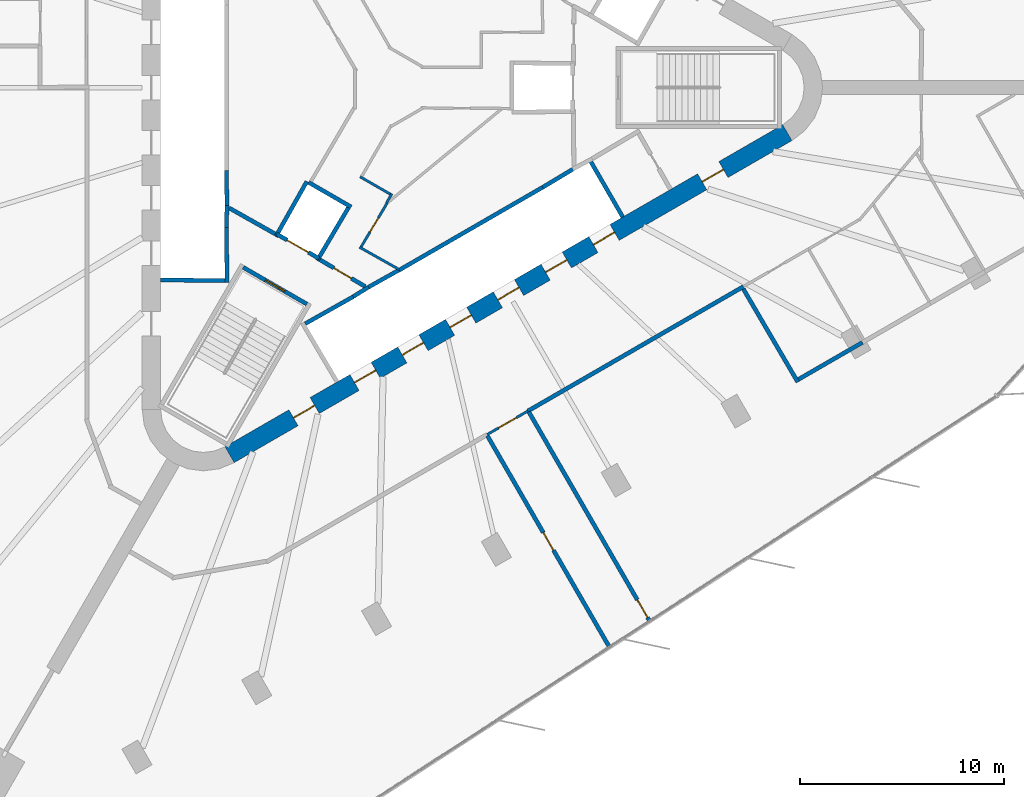
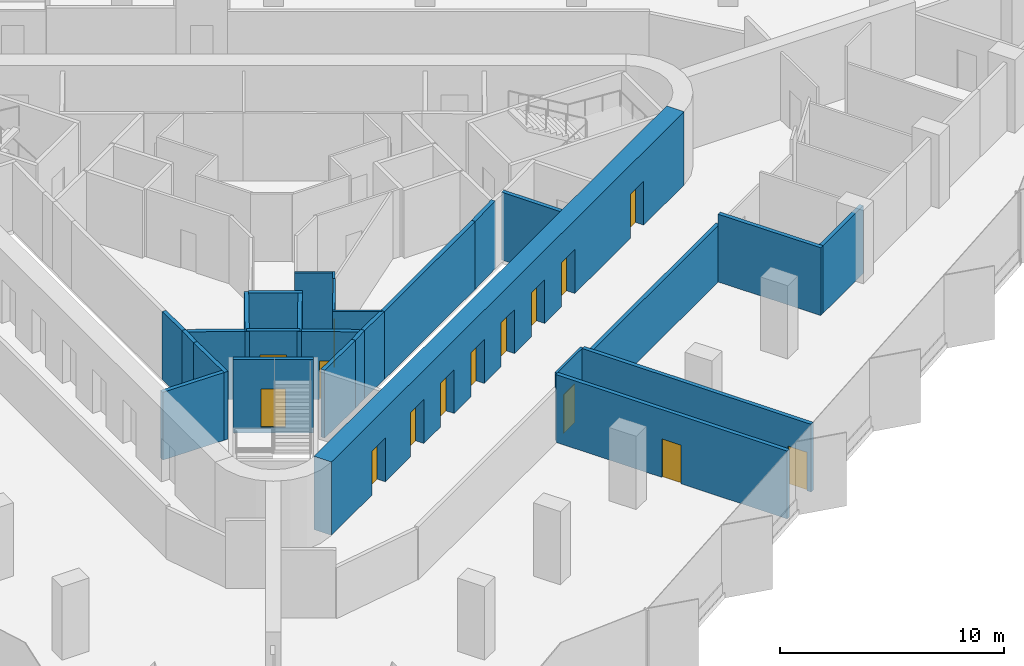
# One storey, part 8 of 14: 28 walls, 15 doors, 15 openings.
"""IFC4 building model written with IfcOpenShell, lengths in metres."""

from ifc_helpers import new_model, si_unit, direction, frame, frame_2d, origin, place, context, subcontext, project, spatial, rectangle, extrude, material, layer, layer_set, type_object, element, fill, save


model = new_model("IFC4")

# Units and contexts
model_context = context("Model", 3, precision=1e-05, world=origin(), true_north=direction((0.0, 1.0)))
body_context = subcontext(model_context, "Body", "Model", "MODEL_VIEW")
ifc_project = project(units=[si_unit("LENGTHUNIT", "METRE"), si_unit("AREAUNIT", "SQUARE_METRE"), si_unit("VOLUMEUNIT", "CUBIC_METRE"), si_unit("PLANEANGLEUNIT", "RADIAN"), si_unit("MASSUNIT", "GRAM", prefix="KILO")], contexts=[model_context])

# Site, building, storey
site_placement = place(None, origin())
site = spatial("IfcSite", under=ifc_project, at=site_placement, CompositionType="ELEMENT")
building_placement = place(site_placement, origin())
building = spatial("IfcBuilding", under=site, at=building_placement, Name="Tanit Gate Tower", CompositionType="ELEMENT")
storey_placement = place(building_placement, frame((0.0, 0.0, 205.199951171875)))
storey = spatial("IfcBuildingStorey", under=building, at=storey_placement, Name="L45", CompositionType="ELEMENT", Elevation=205.199951171875)

# Wall, openings, doors
ifc_material_1 = material(Name="Concrete C50/60", Category="concrete")
ifc_layer_1 = layer(ifc_material_1, 0.89990234375)
ifc_layer_set_1 = layer_set([ifc_layer_1], Name="CORE WALL 900 C50/60")
wall_type_1 = type_object("IfcWallType", Name="CORE WALL 900 C50/60", PredefinedType="SHEAR", material=ifc_layer_set_1)
wall_1_placement = place(storey_placement, frame((-7.824951171875, -17.969970703125, 0.0), z_axis=(0.0, 0.0, 1.0), x_axis=(0.866028369851, 0.499994862586, 0.0)))
wall_1 = element("IfcWall", 1, at=wall_1_placement, inside=storey, type_object=wall_type_1, Name="CORE WALL", PredefinedType="SHEAR", context=body_context, shape_type="SweptSolid", body=[
    extrude(rectangle(XDim=31.523193359375, YDim=0.89990234375, at=frame_2d((15.76171875, 0.0))), origin(), (0.0, 0.0, 1.0), 4.0),
])
opening_1_placement = place(wall_1_placement, frame((7.061767578125, 0.0, 0.0)))
opening_1 = element("IfcOpeningElement", 2, at=opening_1_placement, cuts=wall_1, Name="Opening LDSX1-S12", PredefinedType="OPENING", context=body_context, shape_type="SweptSolid", body=[
    extrude(rectangle(XDim=1.199951171875, YDim=2.39990234375, at=frame_2d((0.60009765625, 1.199951171875))), frame((0.0, 0.4599609375, 0.0), z_axis=(0.0, -1.0, 0.0), x_axis=(1.0, 0.0, 0.0)), (0.0, 0.0, 1.0), 0.919921875),
])
opening_2_placement = place(wall_1_placement, frame((9.76171875, 0.0, 0.0)))
opening_2 = element("IfcOpeningElement", 3, at=opening_2_placement, cuts=wall_1, Name="Opening LDSX2-S12", PredefinedType="OPENING", context=body_context, shape_type="SweptSolid", body=[
    extrude(rectangle(XDim=1.199951171875, YDim=2.39990234375, at=frame_2d((0.60009765625, 1.199951171875))), frame((0.0, 0.4599609375, 0.0), z_axis=(0.0, -1.0, 0.0), x_axis=(1.0, 0.0, 0.0)), (0.0, 0.0, 1.0), 0.919921875),
])
opening_3_placement = place(wall_1_placement, frame((12.461669921875, 0.0, 0.0)))
opening_3 = element("IfcOpeningElement", 4, at=opening_3_placement, cuts=wall_1, Name="Opening LDSX3-S12", PredefinedType="OPENING", context=body_context, shape_type="SweptSolid", body=[
    extrude(rectangle(XDim=1.199951171875, YDim=2.39990234375, at=frame_2d((0.60009765625, 1.199951171875))), frame((0.0, 0.4599609375, 0.0), z_axis=(0.0, -1.0, 0.0), x_axis=(1.0, 0.0, 0.0)), (0.0, 0.0, 1.0), 0.919921875),
])
opening_4_placement = place(wall_1_placement, frame((15.16162109375, 0.0, 0.0)))
opening_4 = element("IfcOpeningElement", 5, at=opening_4_placement, cuts=wall_1, Name="Opening LDSX4-S12", PredefinedType="OPENING", context=body_context, shape_type="SweptSolid", body=[
    extrude(rectangle(XDim=1.199951171875, YDim=2.39990234375, at=frame_2d((0.60009765625, 1.199951171875))), frame((0.0, 0.4599609375, 0.0), z_axis=(0.0, -1.0, 0.0), x_axis=(1.0, 0.0, 0.0)), (0.0, 0.0, 1.0), 0.919921875),
])
opening_5_placement = place(wall_1_placement, frame((17.861572265625, 0.0, 0.0)))
opening_5 = element("IfcOpeningElement", 6, at=opening_5_placement, cuts=wall_1, Name="Opening LDSV1-S12", PredefinedType="OPENING", context=body_context, shape_type="SweptSolid", body=[
    extrude(rectangle(XDim=1.199951171875, YDim=2.39990234375, at=frame_2d((0.60009765625, 1.199951171875))), frame((0.0, 0.4599609375, 0.0), z_axis=(0.0, -1.0, 0.0), x_axis=(1.0, 0.0, 0.0)), (0.0, 0.0, 1.0), 0.919921875),
])
opening_6_placement = place(wall_1_placement, frame((20.561767578125, 0.0, 0.0)))
opening_6 = element("IfcOpeningElement", 7, at=opening_6_placement, cuts=wall_1, Name="Opening LDSV2-S12", PredefinedType="OPENING", context=body_context, shape_type="SweptSolid", body=[
    extrude(rectangle(XDim=1.199951171875, YDim=2.39990234375, at=frame_2d((0.60009765625, 1.199951171875))), frame((0.0, 0.4599609375, 0.0), z_axis=(0.0, -1.0, 0.0), x_axis=(1.0, 0.0, 0.0)), (0.0, 0.0, 1.0), 0.919921875),
])
opening_7_placement = place(wall_1_placement, frame((26.711669921875, 0.0, 0.0)))
opening_7 = element("IfcOpeningElement", 8, at=opening_7_placement, cuts=wall_1, Name="Opening F12-S12-S1", PredefinedType="OPENING", context=body_context, shape_type="SweptSolid", body=[
    extrude(rectangle(XDim=1.199951171875, YDim=2.39990234375, at=frame_2d((0.60009765625, 1.199951171875))), frame((0.0, 0.4599609375, 0.0), z_axis=(0.0, -1.0, 0.0), x_axis=(1.0, 0.0, 0.0)), (0.0, 0.0, 1.0), 0.919921875),
])
opening_8_placement = place(wall_1_placement, frame((3.611572265625, 0.0, 0.0)))
opening_8 = element("IfcOpeningElement", 9, at=opening_8_placement, cuts=wall_1, Name="Opening F12-S12-FL3", PredefinedType="OPENING", context=body_context, shape_type="SweptSolid", body=[
    extrude(rectangle(XDim=1.199951171875, YDim=2.39990234375, at=frame_2d((0.60009765625, 1.199951171875))), frame((0.0, 0.4599609375, 0.0), z_axis=(0.0, -1.0, 0.0), x_axis=(1.0, 0.0, 0.0)), (0.0, 0.0, 1.0), 0.919921875),
])
ifc_material_2 = material(Name="Fire-rated steel door leaf", Category="steel")
door_type_1 = type_object("IfcDoorType", Name="INT-DOOR-FIRE-LOBBY-1200", OperationType="NOTDEFINED", PredefinedType="USERDEFINED", material=ifc_material_2)
door_1_placement = place(opening_7_placement, origin())
door_1 = element("IfcDoor", 10, at=door_1_placement, inside=storey, type_object=door_type_1, Name="Door F12-S12-S1", ObjectType="FIRE DOOR", OperationType="SINGLE_SWING_RIGHT", OverallHeight=2.39990234375, OverallWidth=1.199951171875, PredefinedType="USERDEFINED", context=body_context, shape_type="SweptSolid", body=[
    extrude(rectangle(XDim=1.199951171875, YDim=2.39990234375, at=frame_2d((0.60009765625, 1.199951171875))), frame((0.0, 0.02490234375, 0.0), z_axis=(0.0, -1.0, 0.0), x_axis=(1.0, 0.0, 0.0)), (0.0, 0.0, 1.0), 0.050048828125),
])
fill(opening_7, door_1)
door_2_placement = place(opening_8_placement, origin())
door_2 = element("IfcDoor", 11, at=door_2_placement, inside=storey, type_object=door_type_1, Name="Door F12-S12-FL3", ObjectType="FIRE DOOR", OperationType="SINGLE_SWING_LEFT", OverallHeight=2.39990234375, OverallWidth=1.199951171875, PredefinedType="USERDEFINED", context=body_context, shape_type="SweptSolid", body=[
    extrude(rectangle(XDim=1.199951171875, YDim=2.39990234375, at=frame_2d((0.60009765625, 1.199951171875))), frame((0.0, 0.02490234375, 0.0), z_axis=(0.0, -1.0, 0.0), x_axis=(1.0, 0.0, 0.0)), (0.0, 0.0, 1.0), 0.050048828125),
])
fill(opening_8, door_2)
ifc_material_3 = material(Name="Stainless steel sliding door leaf", Category="steel")
door_type_2 = type_object("IfcDoorType", Name="INT-DOOR-LANDING-1200", OperationType="NOTDEFINED", PredefinedType="USERDEFINED", material=ifc_material_3)
door_3_placement = place(opening_1_placement, origin())
door_3 = element("IfcDoor", 12, at=door_3_placement, inside=storey, type_object=door_type_2, Name="Door LDSX1-S12", ObjectType="LANDING DOOR", OperationType="SLIDING_TO_LEFT", OverallHeight=2.39990234375, OverallWidth=1.199951171875, PredefinedType="USERDEFINED", context=body_context, shape_type="SweptSolid", body=[
    extrude(rectangle(XDim=1.199951171875, YDim=2.39990234375, at=frame_2d((0.60009765625, 1.199951171875))), frame((0.0, 0.02490234375, 0.0), z_axis=(0.0, -1.0, 0.0), x_axis=(1.0, 0.0, 0.0)), (0.0, 0.0, 1.0), 0.050048828125),
])
fill(opening_1, door_3)
door_4_placement = place(opening_2_placement, origin())
door_4 = element("IfcDoor", 13, at=door_4_placement, inside=storey, type_object=door_type_2, Name="Door LDSX2-S12", ObjectType="LANDING DOOR", OperationType="SLIDING_TO_LEFT", OverallHeight=2.39990234375, OverallWidth=1.199951171875, PredefinedType="USERDEFINED", context=body_context, shape_type="SweptSolid", body=[
    extrude(rectangle(XDim=1.199951171875, YDim=2.39990234375, at=frame_2d((0.60009765625, 1.199951171875))), frame((0.0, 0.02490234375, 0.0), z_axis=(0.0, -1.0, 0.0), x_axis=(1.0, 0.0, 0.0)), (0.0, 0.0, 1.0), 0.050048828125),
])
fill(opening_2, door_4)
door_5_placement = place(opening_3_placement, origin())
door_5 = element("IfcDoor", 14, at=door_5_placement, inside=storey, type_object=door_type_2, Name="Door LDSX3-S12", ObjectType="LANDING DOOR", OperationType="SLIDING_TO_LEFT", OverallHeight=2.39990234375, OverallWidth=1.199951171875, PredefinedType="USERDEFINED", context=body_context, shape_type="SweptSolid", body=[
    extrude(rectangle(XDim=1.199951171875, YDim=2.39990234375, at=frame_2d((0.60009765625, 1.199951171875))), frame((0.0, 0.02490234375, 0.0), z_axis=(0.0, -1.0, 0.0), x_axis=(1.0, 0.0, 0.0)), (0.0, 0.0, 1.0), 0.050048828125),
])
fill(opening_3, door_5)
door_6_placement = place(opening_4_placement, origin())
door_6 = element("IfcDoor", 15, at=door_6_placement, inside=storey, type_object=door_type_2, Name="Door LDSX4-S12", ObjectType="LANDING DOOR", OperationType="SLIDING_TO_LEFT", OverallHeight=2.39990234375, OverallWidth=1.199951171875, PredefinedType="USERDEFINED", context=body_context, shape_type="SweptSolid", body=[
    extrude(rectangle(XDim=1.199951171875, YDim=2.39990234375, at=frame_2d((0.60009765625, 1.199951171875))), frame((0.0, 0.02490234375, 0.0), z_axis=(0.0, -1.0, 0.0), x_axis=(1.0, 0.0, 0.0)), (0.0, 0.0, 1.0), 0.050048828125),
])
fill(opening_4, door_6)
door_7_placement = place(opening_5_placement, origin())
door_7 = element("IfcDoor", 16, at=door_7_placement, inside=storey, type_object=door_type_2, Name="Door LDSV1-S12", ObjectType="LANDING DOOR", OperationType="SLIDING_TO_LEFT", OverallHeight=2.39990234375, OverallWidth=1.199951171875, PredefinedType="USERDEFINED", context=body_context, shape_type="SweptSolid", body=[
    extrude(rectangle(XDim=1.199951171875, YDim=2.39990234375, at=frame_2d((0.60009765625, 1.199951171875))), frame((0.0, 0.02490234375, 0.0), z_axis=(0.0, -1.0, 0.0), x_axis=(1.0, 0.0, 0.0)), (0.0, 0.0, 1.0), 0.050048828125),
])
fill(opening_5, door_7)
door_8_placement = place(opening_6_placement, origin())
door_8 = element("IfcDoor", 17, at=door_8_placement, inside=storey, type_object=door_type_2, Name="Door LDSV2-S12", ObjectType="LANDING DOOR", OperationType="SLIDING_TO_LEFT", OverallHeight=2.39990234375, OverallWidth=1.199951171875, PredefinedType="USERDEFINED", context=body_context, shape_type="SweptSolid", body=[
    extrude(rectangle(XDim=1.199951171875, YDim=2.39990234375, at=frame_2d((0.60009765625, 1.199951171875))), frame((0.0, 0.02490234375, 0.0), z_axis=(0.0, -1.0, 0.0), x_axis=(1.0, 0.0, 0.0)), (0.0, 0.0, 1.0), 0.050048828125),
])
fill(opening_6, door_8)

# Wall
ifc_material_4 = material(Name="Fire-rated gypsum board partition")
ifc_layer_2 = layer(ifc_material_4, 0.199951171875)
ifc_layer_set_2 = layer_set([ifc_layer_2], Name="INT-WALL-COMPARTMENT")
wall_type_2 = type_object("IfcWallType", Name="INT-WALL-COMPARTMENT", PredefinedType="PARTITIONING", material=ifc_layer_set_2)
wall_2_placement = place(storey_placement, frame((-7.84912109375, -5.893798828125, 0.0), z_axis=(0.0, 0.0, 1.0), x_axis=(0.871340486379, -0.490678873396, 0.0)))
element("IfcWall", 18, at=wall_2_placement, inside=storey, type_object=wall_type_2, Name="Wall Compartment W063", PredefinedType="PARTITIONING", context=body_context, shape_type="SweptSolid", body=[
    extrude(rectangle(XDim=2.580810546875, YDim=0.199951171875, at=frame_2d((1.29052734375, 0.0))), origin(), (0.0, 0.0, 1.0), 3.699951171875),
])

# Wall, opening, door
wall_3_placement = place(storey_placement, frame((-3.400634765625, -8.43017578125, 0.0), z_axis=(0.0, 0.0, 1.0), x_axis=(0.860598681535, -0.509283721849, 0.0)))
wall_3 = element("IfcWall", 19, at=wall_3_placement, inside=storey, type_object=wall_type_2, Name="Wall Compartment W064", PredefinedType="PARTITIONING", context=body_context, shape_type="SweptSolid", body=[
    extrude(rectangle(XDim=2.5810546875, YDim=0.199951171875, at=frame_2d((1.29052734375, 0.0))), origin(), (0.0, 0.0, 1.0), 3.699951171875),
])
opening_9_placement = place(wall_3_placement, frame((0.79052734375, 0.0, 0.0)))
opening_9 = element("IfcOpeningElement", 20, at=opening_9_placement, cuts=wall_3, Name="Opening F10-S12-08", PredefinedType="OPENING", context=body_context, shape_type="SweptSolid", body=[
    extrude(rectangle(XDim=1.0, YDim=2.10009765625, at=frame_2d((0.5, 1.050048828125))), frame((0.0, 0.10986328125, 0.0), z_axis=(0.0, -1.0, 0.0), x_axis=(1.0, 0.0, 0.0)), (0.0, 0.0, 1.0), 0.219970703125),
])
ifc_material_5 = material(Name="Fire-rated steel door leaf", Category="steel")
door_type_3 = type_object("IfcDoorType", Name="INT-DOOR-FIRE-1000", OperationType="NOTDEFINED", PredefinedType="USERDEFINED", material=ifc_material_5)
door_9_placement = place(opening_9_placement, origin())
door_9 = element("IfcDoor", 21, at=door_9_placement, inside=storey, type_object=door_type_3, Name="Door F10-S12-08", ObjectType="FIRE DOOR", OperationType="SINGLE_SWING_LEFT", OverallHeight=2.10009765625, OverallWidth=1.0, PredefinedType="USERDEFINED", context=body_context, shape_type="SweptSolid", body=[
    extrude(rectangle(XDim=1.0, YDim=2.10009765625, at=frame_2d((0.5, 1.050048828125))), frame((0.0, 0.02490234375, 0.0), z_axis=(0.0, -1.0, 0.0), x_axis=(1.0, 0.0, 0.0)), (0.0, 0.0, 1.0), 0.050048828125),
])
fill(opening_9, door_9)

# Wall
wall_4_placement = place(storey_placement, frame((6.774658203125, -15.833984375, 0.0), z_axis=(0.0, 0.0, 1.0), x_axis=(0.86602903513, 0.499993710272, 0.0)))
element("IfcWall", 22, at=wall_4_placement, inside=storey, type_object=wall_type_2, Name="Wall Compartment W110", PredefinedType="PARTITIONING", context=body_context, shape_type="SweptSolid", body=[
    extrude(rectangle(XDim=12.179931640625, YDim=0.199951171875, at=frame_2d((6.08984375, 0.0))), origin(), (0.0, 0.0, 1.0), 3.070068359375),
])

# Wall, opening, door
wall_5_placement = place(storey_placement, frame((12.731201171875, -26.111083984375, 0.0), z_axis=(0.0, 0.0, 1.0), x_axis=(-0.499996044039, 0.866027687748, 0.0)))
wall_5 = element("IfcWall", 23, at=wall_5_placement, inside=storey, type_object=wall_type_2, Name="Wall Compartment W136", PredefinedType="PARTITIONING", context=body_context, shape_type="SweptSolid", body=[
    extrude(rectangle(XDim=11.818359375, YDim=0.199951171875, at=frame_2d((5.9091796875, 0.0))), origin(), (0.0, 0.0, 1.0), 3.699951171875),
])
opening_10_placement = place(wall_5_placement, frame((0.199951171875, 0.0, 0.0)))
opening_10 = element("IfcOpeningElement", 24, at=opening_10_placement, cuts=wall_5, Name="Opening F10-S12-34", PredefinedType="OPENING", context=body_context, shape_type="SweptSolid", body=[
    extrude(rectangle(XDim=1.0, YDim=2.10009765625, at=frame_2d((0.5, 1.050048828125))), frame((0.0, 0.10986328125, 0.0), z_axis=(0.0, -1.0, 0.0), x_axis=(1.0, 0.0, 0.0)), (0.0, 0.0, 1.0), 0.219970703125),
])
door_10_placement = place(opening_10_placement, origin())
door_10 = element("IfcDoor", 25, at=door_10_placement, inside=storey, type_object=door_type_3, Name="Door F10-S12-34", ObjectType="FIRE DOOR", OperationType="SINGLE_SWING_LEFT", OverallHeight=2.10009765625, OverallWidth=1.0, PredefinedType="USERDEFINED", context=body_context, shape_type="SweptSolid", body=[
    extrude(rectangle(XDim=1.0, YDim=2.10009765625, at=frame_2d((0.5, 1.050048828125))), frame((0.0, 0.02490234375, 0.0), z_axis=(0.0, -1.0, 0.0), x_axis=(1.0, 0.0, 0.0)), (0.0, 0.0, 1.0), 0.050048828125),
])
fill(opening_10, door_10)

wall_6_placement = place(storey_placement, frame((4.79541015625, -17.0458984375, 0.0), z_axis=(0.0, 0.0, 1.0), x_axis=(0.500005050573, -0.866022487815, 0.0)))
wall_6 = element("IfcWall", 26, at=wall_6_placement, inside=storey, type_object=wall_type_2, Name="Wall Compartment W137", PredefinedType="PARTITIONING", context=body_context, shape_type="SweptSolid", body=[
    extrude(rectangle(XDim=11.9404296875, YDim=0.199951171875, at=frame_2d((5.97021484375, 0.0))), origin(), (0.0, 0.0, 1.0), 3.699951171875),
])
opening_11_placement = place(wall_6_placement, frame((5.47021484375, 0.0, 0.0)))
opening_11 = element("IfcOpeningElement", 27, at=opening_11_placement, cuts=wall_6, Name="Opening F10-S12-35", PredefinedType="OPENING", context=body_context, shape_type="SweptSolid", body=[
    extrude(rectangle(XDim=1.0, YDim=2.10009765625, at=frame_2d((0.5, 1.050048828125))), frame((0.0, 0.10986328125, 0.0), z_axis=(0.0, -1.0, 0.0), x_axis=(1.0, 0.0, 0.0)), (0.0, 0.0, 1.0), 0.219970703125),
])
door_11_placement = place(opening_11_placement, origin())
door_11 = element("IfcDoor", 28, at=door_11_placement, inside=storey, type_object=door_type_3, Name="Door F10-S12-35", ObjectType="FIRE DOOR", OperationType="SINGLE_SWING_RIGHT", OverallHeight=2.10009765625, OverallWidth=1.0, PredefinedType="USERDEFINED", context=body_context, shape_type="SweptSolid", body=[
    extrude(rectangle(XDim=1.0, YDim=2.10009765625, at=frame_2d((0.5, 1.050048828125))), frame((0.0, 0.02490234375, 0.0), z_axis=(0.0, -1.0, 0.0), x_axis=(1.0, 0.0, 0.0)), (0.0, 0.0, 1.0), 0.050048828125),
])
fill(opening_11, door_11)

# Walls
wall_7_placement = place(storey_placement, frame((17.3212890625, -9.8603515625, 0.0), z_axis=(0.0, 0.0, 1.0), x_axis=(0.5049171161, -0.863167831809, 0.0)))
element("IfcWall", 29, at=wall_7_placement, inside=storey, type_object=wall_type_2, Name="Wall Compartment W138", PredefinedType="PARTITIONING", context=body_context, shape_type="SweptSolid", body=[
    extrude(rectangle(XDim=5.280029296875, YDim=0.199951171875, at=frame_2d((2.64013671875, 0.0))), origin(), (0.0, 0.0, 1.0), 3.699951171875),
])
wall_8_placement = place(storey_placement, frame((23.148681640625, -12.477294921875, 0.0), z_axis=(0.0, 0.0, 1.0), x_axis=(-0.866015466884, -0.500017210822, 0.0)))
element("IfcWall", 30, at=wall_8_placement, inside=storey, type_object=wall_type_2, Name="Wall Compartment W139", PredefinedType="PARTITIONING", context=body_context, shape_type="SweptSolid", body=[
    extrude(rectangle(XDim=3.608642578125, YDim=0.199951171875, at=frame_2d((1.80419921875, 0.0))), origin(), (0.0, 0.0, 1.0), 3.699951171875),
])
ifc_material_6 = material(Name="Gypsum board partition")
ifc_layer_3 = layer(ifc_material_6, 0.1201171875)
ifc_layer_set_3 = layer_set([ifc_layer_3], Name="INT-WALL-PARTITION")
wall_type_3 = type_object("IfcWallType", Name="INT-WALL-PARTITION", PredefinedType="PARTITIONING", material=ifc_layer_set_3)
wall_9_placement = place(storey_placement, frame((-1.464111328125, -7.81591796875, 0.0), z_axis=(0.0, 0.0, 1.0), x_axis=(0.871880202732, -0.489719217597, 0.0)))
element("IfcWall", 31, at=wall_9_placement, inside=storey, type_object=wall_type_3, Name="Wall Partition W069", PredefinedType="PARTITIONING", context=body_context, shape_type="SweptSolid", body=[
    extrude(rectangle(XDim=2.224365234375, YDim=0.1201171875, at=frame_2d((1.1123046875, 0.0))), origin(), (0.0, 0.0, 1.0), 3.699951171875),
])

# Wall, opening, door
wall_10_placement = place(storey_placement, frame((-0.118896484375, -5.664306640625, 0.0), z_axis=(0.0, 0.0, 1.0), x_axis=(-0.509948384343, -0.860205001907, 0.0)))
wall_10 = element("IfcWall", 32, at=wall_10_placement, inside=storey, type_object=wall_type_3, Name="Wall Partition W070", PredefinedType="PARTITIONING", context=body_context, shape_type="SweptSolid", body=[
    extrude(rectangle(XDim=2.47509765625, YDim=0.1201171875, at=frame_2d((1.237548828125, 0.0))), origin(), (0.0, 0.0, 1.0), 3.699951171875),
])
opening_12_placement = place(wall_10_placement, frame((0.837646484375, 0.0, 0.0)))
opening_12 = element("IfcOpeningElement", 33, at=opening_12_placement, cuts=wall_10, Name="Opening R08-S12-11", PredefinedType="OPENING", context=body_context, shape_type="SweptSolid", body=[
    extrude(rectangle(XDim=0.800048828125, YDim=2.10009765625, at=frame_2d((0.39990234375, 1.050048828125))), frame((0.0, 0.070068359375, 0.0), z_axis=(0.0, -1.0, 0.0), x_axis=(1.0, 0.0, 0.0)), (0.0, 0.0, 1.0), 0.14013671875),
])
ifc_material_7 = material(Name="Timber door leaf", Category="wood")
door_type_4 = type_object("IfcDoorType", Name="INT-DOOR-RISER-800", OperationType="NOTDEFINED", PredefinedType="USERDEFINED", material=ifc_material_7)
door_12_placement = place(opening_12_placement, origin())
door_12 = element("IfcDoor", 34, at=door_12_placement, inside=storey, type_object=door_type_4, Name="Door R08-S12-11", ObjectType="FIRE DOOR", OperationType="SINGLE_SWING_RIGHT", OverallHeight=2.10009765625, OverallWidth=0.800048828125, PredefinedType="USERDEFINED", context=body_context, shape_type="SweptSolid", body=[
    extrude(rectangle(XDim=0.800048828125, YDim=2.10009765625, at=frame_2d((0.39990234375, 1.050048828125))), frame((0.0, 0.02490234375, 0.0), z_axis=(0.0, -1.0, 0.0), x_axis=(1.0, 0.0, 0.0)), (0.0, 0.0, 1.0), 0.050048828125),
])
fill(opening_12, door_12)

# Walls
wall_11_placement = place(storey_placement, frame((-0.14404296875, -5.6494140625, 0.0), z_axis=(0.0, 0.0, 1.0), x_axis=(0.499843319224, 0.866115844577, 0.0)))
element("IfcWall", 35, at=wall_11_placement, inside=storey, type_object=wall_type_3, Name="Wall Partition W072", PredefinedType="PARTITIONING", context=body_context, shape_type="SweptSolid", body=[
    extrude(rectangle(XDim=0.524658203125, YDim=0.1201171875, at=frame_2d((0.26220703125, 0.0))), origin(), (0.0, 0.0, 1.0), 3.699951171875),
])
wall_12_placement = place(storey_placement, frame((-1.43603515625, -4.3671875, 0.0), z_axis=(0.0, 0.0, 1.0), x_axis=(0.866087547558, -0.499892348375, 0.0)))
element("IfcWall", 36, at=wall_12_placement, inside=storey, type_object=wall_type_3, Name="Wall Partition W073", PredefinedType="PARTITIONING", context=body_context, shape_type="SweptSolid", body=[
    extrude(rectangle(XDim=1.699951171875, YDim=0.1201171875, at=frame_2d((0.85009765625, 0.0))), origin(), (0.0, 0.0, 1.0), 3.699951171875),
])

# Wall, opening, door
wall_13_placement = place(storey_placement, frame((6.774658203125, -15.833984375, 0.0), z_axis=(0.0, 0.0, 1.0), x_axis=(-0.866007057882, -0.500031774688, 0.0)))
wall_13 = element("IfcWall", 37, at=wall_13_placement, inside=storey, type_object=wall_type_3, Name="Wall Partition W109", PredefinedType="PARTITIONING", context=body_context, shape_type="SweptSolid", body=[
    extrude(rectangle(XDim=2.300048828125, YDim=0.1201171875, at=frame_2d((1.14990234375, 0.0))), origin(), (0.0, 0.0, 1.0), 3.699951171875),
])
opening_13_placement = place(wall_13_placement, frame((0.64990234375, 0.0, 0.0)))
opening_13 = element("IfcOpeningElement", 38, at=opening_13_placement, cuts=wall_13, Name="Opening D10-S12-20", PredefinedType="OPENING", context=body_context, shape_type="SweptSolid", body=[
    extrude(rectangle(XDim=1.0, YDim=2.10009765625, at=frame_2d((0.5, 1.050048828125))), frame((0.0, 0.070068359375, 0.0), z_axis=(0.0, -1.0, 0.0), x_axis=(1.0, 0.0, 0.0)), (0.0, 0.0, 1.0), 0.14013671875),
])
ifc_material_8 = material(Name="Timber door leaf", Category="wood")
door_type_5 = type_object("IfcDoorType", Name="INT-DOOR-SINGLE-1000", OperationType="NOTDEFINED", PredefinedType="NOTDEFINED", material=ifc_material_8)
door_13_placement = place(opening_13_placement, origin())
door_13 = element("IfcDoor", 39, at=door_13_placement, inside=storey, type_object=door_type_5, Name="Door D10-S12-20", OperationType="SINGLE_SWING_RIGHT", OverallHeight=2.10009765625, OverallWidth=1.0, PredefinedType="NOTDEFINED", context=body_context, shape_type="SweptSolid", body=[
    extrude(rectangle(XDim=1.0, YDim=2.10009765625, at=frame_2d((0.5, 1.050048828125))), frame((0.0, 0.02490234375, 0.0), z_axis=(0.0, -1.0, 0.0), x_axis=(1.0, 0.0, 0.0)), (0.0, 0.0, 1.0), 0.050048828125),
])
fill(opening_13, door_13)

# Walls
ifc_material_9 = material(Name="Gypsum shaft wall system")
ifc_layer_4 = layer(ifc_material_9, 0.199951171875)
ifc_layer_set_4 = layer_set([ifc_layer_4], Name="INT-WALL-SHAFT")
wall_type_4 = type_object("IfcWallType", Name="INT-WALL-SHAFT", PredefinedType="PLUMBINGWALL", material=ifc_layer_set_4)
wall_14_placement = place(storey_placement, frame((-7.949951171875, -5.7724609375, 0.0), z_axis=(0.0, 0.0, 1.0), x_axis=(-0.030803413295, -0.999525462272, 0.0)))
element("IfcWall", 40, at=wall_14_placement, inside=storey, type_object=wall_type_4, Name="Wall Shaft W008", PredefinedType="PLUMBINGWALL", context=body_context, shape_type="SweptSolid", body=[
    extrude(rectangle(XDim=1.077880859375, YDim=0.199951171875, at=frame_2d((0.5390625, 0.0))), origin(), (0.0, 0.0, 1.0), 3.699951171875),
])
wall_15_placement = place(storey_placement, frame((-7.97998046875, -4.050048828125, 0.0), z_axis=(0.0, 0.0, 1.0), x_axis=(0.016809909365, -0.999858703491, 0.0)))
element("IfcWall", 41, at=wall_15_placement, inside=storey, type_object=wall_type_4, Name="Wall Shaft W009", PredefinedType="PLUMBINGWALL", context=body_context, shape_type="SweptSolid", body=[
    extrude(rectangle(XDim=1.844482421875, YDim=0.199951171875, at=frame_2d((0.92236328125, 0.0))), origin(), (0.0, 0.0, 1.0), 3.699951171875),
])
wall_16_placement = place(storey_placement, frame((-7.97900390625, -6.85009765625, 0.0), z_axis=(0.0, 0.0, 1.0), x_axis=(0.011121475088, -0.999938154483, 0.0)))
element("IfcWall", 42, at=wall_16_placement, inside=storey, type_object=wall_type_4, Name="Wall Shaft W010", PredefinedType="PLUMBINGWALL", context=body_context, shape_type="SweptSolid", body=[
    extrude(rectangle(XDim=2.7001953125, YDim=0.199951171875, at=frame_2d((1.35009765625, 0.0))), origin(), (0.0, 0.0, 1.0), 3.699951171875),
])
wall_17_placement = place(storey_placement, frame((-8.050048828125, -9.448974609375, 0.0), z_axis=(0.0, 0.0, 1.0), x_axis=(-0.999957467379, 0.009222983926, 0.0)))
element("IfcWall", 43, at=wall_17_placement, inside=storey, type_object=wall_type_4, Name="Wall Shaft W011", PredefinedType="PLUMBINGWALL", context=body_context, shape_type="SweptSolid", body=[
    extrude(rectangle(XDim=3.150146484375, YDim=0.199951171875, at=frame_2d((1.5751953125, 0.0))), origin(), (0.0, 0.0, 1.0), 3.699951171875),
])
wall_18_placement = place(storey_placement, frame((0.482666015625, -8.935791015625, 0.0), z_axis=(0.0, 0.0, 1.0), x_axis=(0.866030989016, 0.499990325971, 0.0)))
element("IfcWall", 44, at=wall_18_placement, inside=storey, type_object=wall_type_4, Name="Wall Shaft W023", PredefinedType="PLUMBINGWALL", context=body_context, shape_type="SweptSolid", body=[
    extrude(rectangle(XDim=8.099853515625, YDim=0.199951171875, at=frame_2d((4.0498046875, 0.0))), origin(), (0.0, 0.0, 1.0), 3.699951171875),
])
wall_19_placement = place(storey_placement, frame((9.794677734375, -3.52490234375, 0.0), z_axis=(0.0, 0.0, 1.0), x_axis=(0.499984717929, -0.866034226713, 0.0)))
element("IfcWall", 45, at=wall_19_placement, inside=storey, type_object=wall_type_4, Name="Wall Shaft W016", PredefinedType="PLUMBINGWALL", context=body_context, shape_type="SweptSolid", body=[
    extrude(rectangle(XDim=3.25, YDim=0.199951171875, at=frame_2d((1.625, 0.0))), origin(), (0.0, 0.0, 1.0), 3.699951171875),
])
wall_20_placement = place(storey_placement, frame((7.497314453125, -4.885986328125, 0.0), z_axis=(0.0, 0.0, 1.0), x_axis=(0.857516281273, 0.51445682749, 0.0)))
element("IfcWall", 46, at=wall_20_placement, inside=storey, type_object=wall_type_4, Name="Wall Shaft W018", PredefinedType="PLUMBINGWALL", context=body_context, shape_type="SweptSolid", body=[
    extrude(rectangle(XDim=1.8447265625, YDim=0.199951171875, at=frame_2d((0.92236328125, 0.0))), origin(), (0.0, 0.0, 1.0), 3.699951171875),
])
wall_21_placement = place(storey_placement, frame((-1.7685546875, -10.23681640625, 0.0), z_axis=(0.0, 0.0, 1.0), x_axis=(-0.871534483978, -0.490334215854, 0.0)))
element("IfcWall", 47, at=wall_21_placement, inside=storey, type_object=wall_type_4, Name="Wall Shaft W020", PredefinedType="PLUMBINGWALL", context=body_context, shape_type="SweptSolid", body=[
    extrude(rectangle(XDim=2.7001953125, YDim=0.199951171875, at=frame_2d((1.35009765625, 0.0))), origin(), (0.0, 0.0, 1.0), 3.699951171875),
])
wall_22_placement = place(storey_placement, frame((-1.02392578125, -9.77099609375, 0.0), z_axis=(0.0, 0.0, 1.0), x_axis=(-0.850348075135, -0.526220629693, 0.0)))
element("IfcWall", 48, at=wall_22_placement, inside=storey, type_object=wall_type_4, Name="Wall Shaft W021", PredefinedType="PLUMBINGWALL", context=body_context, shape_type="SweptSolid", body=[
    extrude(rectangle(XDim=0.878173828125, YDim=0.199951171875, at=frame_2d((0.43896484375, 0.0))), origin(), (0.0, 0.0, 1.0), 3.699951171875),
])
wall_23_placement = place(storey_placement, frame((-1.13037109375, -9.83154296875, 0.0), z_axis=(0.0, 0.0, 1.0), x_axis=(0.871988740738, 0.489525929882, 0.0)))
element("IfcWall", 49, at=wall_23_placement, inside=storey, type_object=wall_type_4, Name="Wall Shaft W022", PredefinedType="PLUMBINGWALL", context=body_context, shape_type="SweptSolid", body=[
    extrude(rectangle(XDim=1.8447265625, YDim=0.199951171875, at=frame_2d((0.92236328125, 0.0))), origin(), (0.0, 0.0, 1.0), 3.699951171875),
])

# Wall, opening, door
wall_24_placement = place(storey_placement, frame((-3.44580078125, -8.3681640625, 0.0), z_axis=(0.0, 0.0, 1.0), x_axis=(-0.866024647952, 0.500001309137, 0.0)))
wall_24 = element("IfcWall", 50, at=wall_24_placement, inside=storey, type_object=wall_type_4, Name="Wall Shaft W045", PredefinedType="PLUMBINGWALL", context=body_context, shape_type="SweptSolid", body=[
    extrude(rectangle(XDim=2.39990234375, YDim=0.199951171875, at=frame_2d((1.199951171875, 0.0))), origin(), (0.0, 0.0, 1.0), 3.699951171875),
])
opening_14_placement = place(wall_24_placement, frame((0.60009765625, 0.0, 0.0)))
opening_14 = element("IfcOpeningElement", 51, at=opening_14_placement, cuts=wall_24, Name="Opening LDFL3-L45", PredefinedType="OPENING", context=body_context, shape_type="SweptSolid", body=[
    extrude(rectangle(XDim=1.199951171875, YDim=2.39990234375, at=frame_2d((0.60009765625, 1.199951171875))), frame((0.0, 0.10986328125, 0.0), z_axis=(0.0, -1.0, 0.0), x_axis=(1.0, 0.0, 0.0)), (0.0, 0.0, 1.0), 0.219970703125),
])
door_14_placement = place(opening_14_placement, origin())
door_14 = element("IfcDoor", 52, at=door_14_placement, inside=storey, type_object=door_type_2, Name="Door LDFL3-L45", ObjectType="LANDING DOOR", OperationType="SLIDING_TO_LEFT", OverallHeight=2.39990234375, OverallWidth=1.199951171875, PredefinedType="USERDEFINED", context=body_context, shape_type="SweptSolid", body=[
    extrude(rectangle(XDim=1.199951171875, YDim=2.39990234375, at=frame_2d((0.60009765625, 1.199951171875))), frame((0.0, 0.02490234375, 0.0), z_axis=(0.0, -1.0, 0.0), x_axis=(1.0, 0.0, 0.0)), (0.0, 0.0, 1.0), 0.050048828125),
])
fill(opening_14, door_14)

# Walls
wall_25_placement = place(storey_placement, frame((-5.5625, -7.29638671875, 0.0), z_axis=(0.0, 0.0, 1.0), x_axis=(0.491322718731, 0.870977603649, 0.0)))
element("IfcWall", 53, at=wall_25_placement, inside=storey, type_object=wall_type_4, Name="Wall Shaft W046", PredefinedType="PLUMBINGWALL", context=body_context, shape_type="SweptSolid", body=[
    extrude(rectangle(XDim=3.10009765625, YDim=0.199951171875, at=frame_2d((1.550048828125, 0.0))), origin(), (0.0, 0.0, 1.0), 3.699951171875),
])
wall_26_placement = place(storey_placement, frame((-3.95654296875, -4.643798828125, 0.0), z_axis=(0.0, 0.0, 1.0), x_axis=(0.865991127953, -0.500059362782, 0.0)))
element("IfcWall", 54, at=wall_26_placement, inside=storey, type_object=wall_type_4, Name="Wall Shaft W047", PredefinedType="PLUMBINGWALL", context=body_context, shape_type="SweptSolid", body=[
    extrude(rectangle(XDim=2.404541015625, YDim=0.199951171875, at=frame_2d((1.2021484375, 0.0))), origin(), (0.0, 0.0, 1.0), 3.699951171875),
])
wall_27_placement = place(storey_placement, frame((-2.01171875, -5.88232421875, 0.0), z_axis=(0.0, 0.0, 1.0), x_axis=(-0.508619639323, -0.860991325447, 0.0)))
element("IfcWall", 55, at=wall_27_placement, inside=storey, type_object=wall_type_4, Name="Wall Shaft W048", PredefinedType="PLUMBINGWALL", context=body_context, shape_type="SweptSolid", body=[
    extrude(rectangle(XDim=3.0, YDim=0.199951171875, at=frame_2d((1.5, 0.0))), origin(), (0.0, 0.0, 1.0), 3.699951171875),
])

# Wall, opening, door
ifc_material_10 = material(Name="Concrete C40/50", Category="concrete")
ifc_layer_5 = layer(ifc_material_10, 0.199951171875)
ifc_layer_set_5 = layer_set([ifc_layer_5], Name="INT-WALL-STAIR")
wall_type_5 = type_object("IfcWallType", Name="INT-WALL-STAIR", PredefinedType="SHEAR", material=ifc_layer_set_5)
wall_28_placement = place(storey_placement, frame((-4.041259765625, -10.599365234375, -0.300048828125), z_axis=(0.0, 0.0, 1.0), x_axis=(-0.866047807691, 0.499961193289, 0.0)))
wall_28 = element("IfcWall", 56, at=wall_28_placement, inside=storey, type_object=wall_type_5, Name="Wall Stair W044", PredefinedType="SHEAR", context=body_context, shape_type="SweptSolid", body=[
    extrude(rectangle(XDim=3.599853515625, YDim=0.199951171875, at=frame_2d((1.7998046875, 0.0))), origin(), (0.0, 0.0, 1.0), 4.0),
])
opening_15_placement = place(wall_28_placement, frame((1.25, 0.0, 0.300048828125)))
opening_15 = element("IfcOpeningElement", 57, at=opening_15_placement, cuts=wall_28, Name="Opening S11-S12-07", PredefinedType="OPENING", context=body_context, shape_type="SweptSolid", body=[
    extrude(rectangle(XDim=1.10009765625, YDim=2.10009765625, at=frame_2d((0.550048828125, 1.050048828125))), frame((0.0, 0.10986328125, 0.0), z_axis=(0.0, -1.0, 0.0), x_axis=(1.0, 0.0, 0.0)), (0.0, 0.0, 1.0), 0.219970703125),
])
ifc_material_11 = material(Name="Timber door leaf", Category="wood")
door_type_6 = type_object("IfcDoorType", Name="INT-DOOR-STAIR-1100", OperationType="NOTDEFINED", PredefinedType="USERDEFINED", material=ifc_material_11)
door_15_placement = place(opening_15_placement, origin())
door_15 = element("IfcDoor", 58, at=door_15_placement, inside=storey, type_object=door_type_6, Name="Door S11-S12-07", ObjectType="FIRE DOOR", OperationType="SINGLE_SWING_LEFT", OverallHeight=2.10009765625, OverallWidth=1.10009765625, PredefinedType="USERDEFINED", context=body_context, shape_type="SweptSolid", body=[
    extrude(rectangle(XDim=1.10009765625, YDim=2.10009765625, at=frame_2d((0.550048828125, 1.050048828125))), frame((0.0, 0.02490234375, 0.0), z_axis=(0.0, -1.0, 0.0), x_axis=(1.0, 0.0, 0.0)), (0.0, 0.0, 1.0), 0.050048828125),
])
fill(opening_15, door_15)

save(model, "model.ifc")
